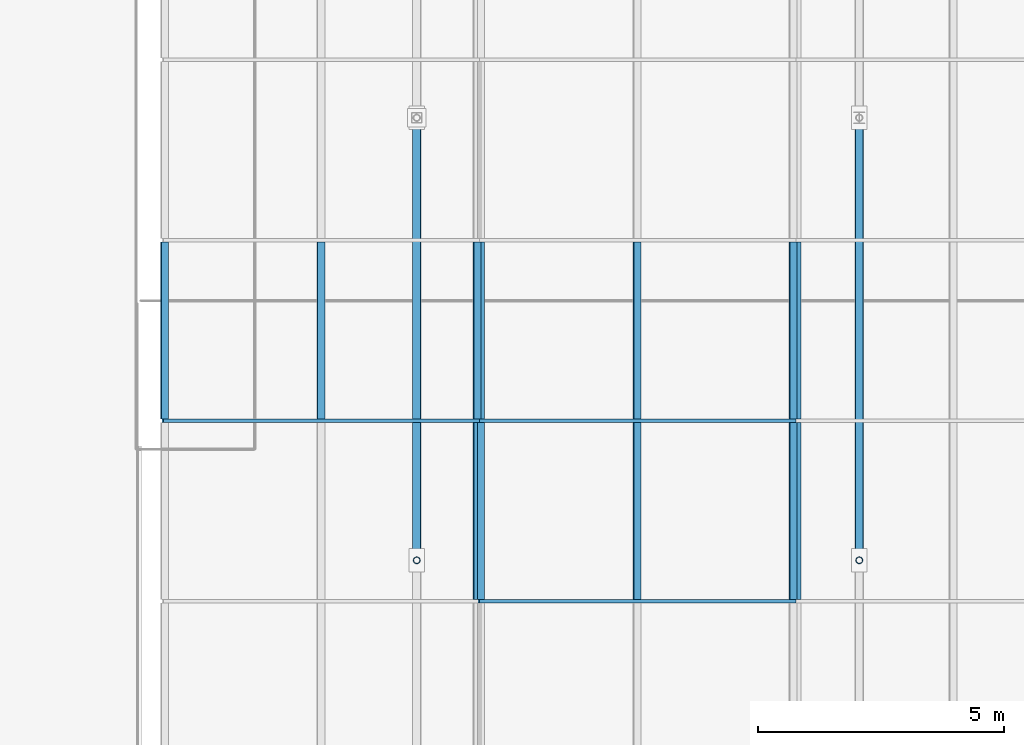
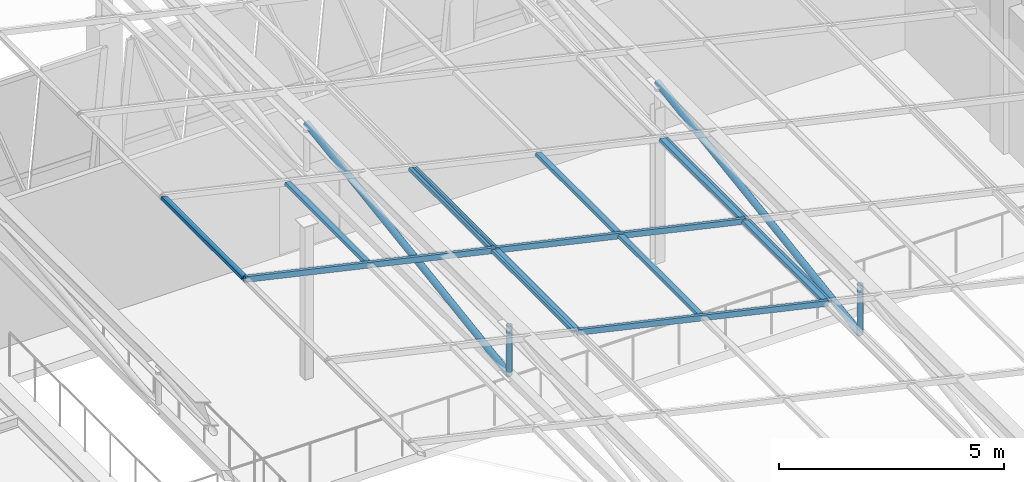
# One storey, part 74 of 130: 19 members, 3 elements without a shape of their own.
"""IFC4 building model written with IfcOpenShell, lengths in metres."""

from ifc_helpers import new_model, si_unit, direction, frame, origin, origin_2d, place, context, subcontext, project, spatial, hollow_rectangle, hollow_circle, extrude, material, material_profile, profile_set, type_object, element, aggregate, save


model = new_model("IFC4")

# Units and contexts
model_context = context("Model", 3, precision=1e-05, world=origin(), true_north=direction((0.0, 1.0)))
body_context = subcontext(model_context, "Body", "Model", "MODEL_VIEW")
ifc_project = project(units=[si_unit("LENGTHUNIT", "METRE"), si_unit("AREAUNIT", "SQUARE_METRE"), si_unit("VOLUMEUNIT", "CUBIC_METRE"), si_unit("PLANEANGLEUNIT", "RADIAN"), si_unit("MASSUNIT", "GRAM", prefix="KILO")], contexts=[model_context])

# Site, building, storey
site_placement = place(None, origin())
site = spatial("IfcSite", under=ifc_project, at=site_placement, CompositionType="ELEMENT")
building_placement = place(site_placement, origin())
building = spatial("IfcBuilding", under=site, at=building_placement, Name="Lykobir Media Centre", CompositionType="ELEMENT")
storey_placement = place(building_placement, frame((0.0, 0.0, 19.199951171875)))
storey = spatial("IfcBuildingStorey", under=building, at=storey_placement, Name="L04", CompositionType="ELEMENT", Elevation=19.199951171875)

# Members
ifc_material_1 = material(Name="Steel S355", Category="steel")
ifc_material_profile_1 = material_profile(ifc_material_1, hollow_circle(Radius=0.06982421875, WallThickness=0.008056640625, at=origin_2d()), Name="CHS 139.7x8.0")
ifc_profile_set_1 = profile_set([ifc_material_profile_1], Name="Steel S355")
member_type_1 = type_object("IfcMemberType", Name="BR-CHS140", PredefinedType="BRACE", material=ifc_profile_set_1)
for number, where, z_axis, x_axis, name in (
    (1, (54.0, 90.0, 6.860107421875), (0.0, 0.0, -1.0), (1.0, 0.0, 0.0), "Diagonal brace MEM2-L04-0540-0900-0261-0540-0900-0465"),
    (2, (63.0, 90.0, 4.820068359375), (0.0, 0.0, -1.0), (1.0, 0.0, 0.0), "Diagonal brace MEM2-L04-0630-0900-0240-0630-0900-0478"),
):
    element("IfcMember", number, at=place(storey_placement, frame(where, z_axis=z_axis, x_axis=x_axis)), inside=storey, type_object=member_type_1, Name=name, PredefinedType="BRACE", context=body_context, shape_type="SweptSolid", body=[
        extrude(hollow_circle(Radius=0.06982421875, WallThickness=0.008056640625, at=origin_2d()), origin(), (0.0, 0.0, 1.0), 1.35009765625),
    ])
ifc_material_profile_2 = material_profile(ifc_material_1, hollow_circle(Radius=0.084228515625, WallThickness=0.010009765625, at=origin_2d()), Name="CHS 168.3x10.0")
ifc_profile_set_2 = profile_set([ifc_material_profile_2], Name="Steel S355")
member_type_2 = type_object("IfcMemberType", Name="BR-CHS168", PredefinedType="BRACE", material=ifc_profile_set_2)
for number, where, z_axis, x_axis, name in (
    (3, (54.0, 90.0, 5.510009765625), (0.0, 0.988934778637, 0.148350947425), (-1.0, 0.0, 0.0), "Diagonal brace MEM2-L04-0540-0900-0247-0540-0990-0466"),
    (4, (63.0, 90.0, 3.469970703125), (0.0, 0.988934778637, 0.148350947425), (-1.0, 0.0, 0.0), "Diagonal brace MEM2-L04-0630-0900-0227-0630-0990-0479"),
):
    element("IfcMember", number, at=place(storey_placement, frame(where, z_axis=z_axis, x_axis=x_axis)), inside=storey, type_object=member_type_2, Name=name, PredefinedType="BRACE", context=body_context, shape_type="SweptSolid", body=[
        extrude(hollow_circle(Radius=0.084228515625, WallThickness=0.010009765625, at=origin_2d()), origin(), (0.0, 0.0, 1.0), 9.1005859375),
    ])

# Curtain wall, members
ifc_material_2 = material(Name="Anodized Aluminium AW-6060", Category="aluminium")
curtain_wall_type = type_object("IfcCurtainWallType", Name="CW-V6-SKY", PredefinedType="NOTDEFINED", material=ifc_material_2)
curtain_wall_1_placement = place(storey_placement, origin())
curtain_wall_1 = element("IfcCurtainWall", 5, at=curtain_wall_1_placement, inside=storey, type_object=curtain_wall_type, Name="Curtain wall CW-V6-SKY03", PredefinedType="NOTDEFINED")
ifc_material_profile_3 = material_profile(ifc_material_2, hollow_rectangle(XDim=0.074951171875, YDim=0.14990234375, WallThickness=0.00341796875, at=origin_2d()), Name="ALU TRANSOM 75x150")
ifc_profile_set_3 = profile_set([ifc_material_profile_3], Name="Anodized Aluminium AW-6060")
member_type_3 = type_object("IfcMemberType", Name="CWT-150", PredefinedType="USERDEFINED", material=ifc_profile_set_3)
member_1_placement = place(storey_placement, frame((61.728515625, 96.472412109375, 5.2646484375), z_axis=(0.0, -1.0, 0.0), x_axis=(0.221054901821, 0.0, 0.975261365164)))
member_1 = element("IfcMember", 6, at=member_1_placement, type_object=member_type_3, Name="CW-V6-SKY03 transom 4.3", ObjectType="TRANSOM", PredefinedType="USERDEFINED", context=body_context, shape_type="SweptSolid", body=[
    extrude(hollow_rectangle(XDim=0.074951171875, YDim=0.14990234375, WallThickness=0.00341796875, at=origin_2d()), origin(), (0.0, 0.0, 1.0), 3.594970703125),
])
member_2_placement = place(storey_placement, frame((61.728515625, 92.802490234375, 5.2646484375), z_axis=(0.0, -1.0, 0.0), x_axis=(0.221054901821, 0.0, 0.975261365164)))
member_2 = element("IfcMember", 7, at=member_2_placement, type_object=member_type_3, Name="CW-V6-SKY03 transom 5.3", ObjectType="TRANSOM", PredefinedType="USERDEFINED", context=body_context, shape_type="SweptSolid", body=[
    extrude(hollow_rectangle(XDim=0.074951171875, YDim=0.14990234375, WallThickness=0.00341796875, at=origin_2d()), origin(), (0.0, 0.0, 1.0), 3.594970703125),
])
aggregate(curtain_wall_1, [member_1, member_2])

curtain_wall_2_placement = place(storey_placement, origin())
curtain_wall_2 = element("IfcCurtainWall", 8, at=curtain_wall_2_placement, inside=storey, type_object=curtain_wall_type, Name="Curtain wall CW-V6-SKY04", PredefinedType="NOTDEFINED")
member_3_placement = place(storey_placement, frame((61.69189453125, 92.840087890625, 5.27294921875), z_axis=(-0.975255318588, 0.0, 0.221081576721), x_axis=(0.0, -1.0, 0.0)))
member_3 = element("IfcMember", 9, at=member_3_placement, type_object=member_type_3, Name="CW-V6-SKY04 rafter transom 5", ObjectType="TRANSOM", PredefinedType="USERDEFINED", context=body_context, shape_type="SweptSolid", body=[
    extrude(hollow_rectangle(XDim=0.074951171875, YDim=0.14990234375, WallThickness=0.00341796875, at=origin_2d()), origin(), (0.0, 0.0, 1.0), 6.591552734375),
])
member_4_placement = place(storey_placement, frame((61.69189453125, 89.169921875, 5.27294921875), z_axis=(-0.975255318588, 0.0, 0.221081576721), x_axis=(0.0, -1.0, 0.0)))
member_4 = element("IfcMember", 10, at=member_4_placement, type_object=member_type_3, Name="CW-V6-SKY04 rafter transom 6", ObjectType="TRANSOM", PredefinedType="USERDEFINED", context=body_context, shape_type="SweptSolid", body=[
    extrude(hollow_rectangle(XDim=0.074951171875, YDim=0.14990234375, WallThickness=0.00341796875, at=origin_2d()), origin(), (0.0, 0.0, 1.0), 6.591552734375),
])
member_5_placement = place(storey_placement, frame((61.655517578125, 96.472412109375, 5.28125), z_axis=(0.0, -1.0, 0.0), x_axis=(0.221071923309, 0.0, 0.975257506879)))
member_5 = element("IfcMember", 11, at=member_5_placement, type_object=member_type_3, Name="CW-V6-SKY04 transom 4.1", ObjectType="TRANSOM", PredefinedType="USERDEFINED", context=body_context, shape_type="SweptSolid", body=[
    extrude(hollow_rectangle(XDim=0.074951171875, YDim=0.14990234375, WallThickness=0.00341796875, at=origin_2d()), origin(), (0.0, 0.0, 1.0), 3.594970703125),
])
member_6_placement = place(storey_placement, frame((58.477783203125, 96.472412109375, 6.00146484375), z_axis=(0.0, -1.0, 0.0), x_axis=(0.221071923309, 0.0, 0.975257506879)))
member_6 = element("IfcMember", 12, at=member_6_placement, type_object=member_type_3, Name="CW-V6-SKY04 transom 4.2", ObjectType="TRANSOM", PredefinedType="USERDEFINED", context=body_context, shape_type="SweptSolid", body=[
    extrude(hollow_rectangle(XDim=0.074951171875, YDim=0.14990234375, WallThickness=0.00341796875, at=origin_2d()), origin(), (0.0, 0.0, 1.0), 3.594970703125),
])
member_7_placement = place(storey_placement, frame((55.300048828125, 96.472412109375, 6.721923828125), z_axis=(0.0, -1.0, 0.0), x_axis=(0.221071923309, 0.0, 0.975257506879)))
member_7 = element("IfcMember", 13, at=member_7_placement, type_object=member_type_3, Name="CW-V6-SKY04 transom 4.3", ObjectType="TRANSOM", PredefinedType="USERDEFINED", context=body_context, shape_type="SweptSolid", body=[
    extrude(hollow_rectangle(XDim=0.074951171875, YDim=0.14990234375, WallThickness=0.00341796875, at=origin_2d()), origin(), (0.0, 0.0, 1.0), 3.594970703125),
])
member_8_placement = place(storey_placement, frame((61.655517578125, 92.802490234375, 5.28125), z_axis=(0.0, -1.0, 0.0), x_axis=(0.221071923309, 0.0, 0.975257506879)))
member_8 = element("IfcMember", 14, at=member_8_placement, type_object=member_type_3, Name="CW-V6-SKY04 transom 5.1", ObjectType="TRANSOM", PredefinedType="USERDEFINED", context=body_context, shape_type="SweptSolid", body=[
    extrude(hollow_rectangle(XDim=0.074951171875, YDim=0.14990234375, WallThickness=0.00341796875, at=origin_2d()), origin(), (0.0, 0.0, 1.0), 3.594970703125),
])
member_9_placement = place(storey_placement, frame((58.477783203125, 92.802490234375, 6.00146484375), z_axis=(0.0, -1.0, 0.0), x_axis=(0.221071923309, 0.0, 0.975257506879)))
member_9 = element("IfcMember", 15, at=member_9_placement, type_object=member_type_3, Name="CW-V6-SKY04 transom 5.2", ObjectType="TRANSOM", PredefinedType="USERDEFINED", context=body_context, shape_type="SweptSolid", body=[
    extrude(hollow_rectangle(XDim=0.074951171875, YDim=0.14990234375, WallThickness=0.00341796875, at=origin_2d()), origin(), (0.0, 0.0, 1.0), 3.594970703125),
])
member_10_placement = place(storey_placement, frame((55.300048828125, 92.802490234375, 6.721923828125), z_axis=(0.0, -1.0, 0.0), x_axis=(0.221071923309, 0.0, 0.975257506879)))
member_10 = element("IfcMember", 16, at=member_10_placement, type_object=member_type_3, Name="CW-V6-SKY04 transom 5.3", ObjectType="TRANSOM", PredefinedType="USERDEFINED", context=body_context, shape_type="SweptSolid", body=[
    extrude(hollow_rectangle(XDim=0.074951171875, YDim=0.14990234375, WallThickness=0.00341796875, at=origin_2d()), origin(), (0.0, 0.0, 1.0), 3.594970703125),
])
aggregate(curtain_wall_2, [member_3, member_4, member_5, member_6, member_7, member_8, member_9, member_10])

curtain_wall_3_placement = place(storey_placement, origin())
curtain_wall_3 = element("IfcCurtainWall", 17, at=curtain_wall_3_placement, inside=storey, type_object=curtain_wall_type, Name="Curtain wall CW-V6-SKY05", PredefinedType="NOTDEFINED")
member_11_placement = place(storey_placement, frame((55.263427734375, 92.840087890625, 6.730224609375), z_axis=(-0.97526330388, 0.0, 0.221046348318), x_axis=(0.0, -1.0, 0.0)))
member_11 = element("IfcMember", 18, at=member_11_placement, type_object=member_type_3, Name="CW-V6-SKY05 rafter transom 5", ObjectType="TRANSOM", PredefinedType="USERDEFINED", context=body_context, shape_type="SweptSolid", body=[
    extrude(hollow_rectangle(XDim=0.074951171875, YDim=0.14990234375, WallThickness=0.00341796875, at=origin_2d()), origin(), (0.0, 0.0, 1.0), 6.591552734375),
])
member_12_placement = place(storey_placement, frame((55.226806640625, 96.472412109375, 6.738525390625), z_axis=(0.0, -1.0, 0.0), x_axis=(0.221054901821, 0.0, 0.975261365164)))
member_12 = element("IfcMember", 19, at=member_12_placement, type_object=member_type_3, Name="CW-V6-SKY05 transom 4.1", ObjectType="TRANSOM", PredefinedType="USERDEFINED", context=body_context, shape_type="SweptSolid", body=[
    extrude(hollow_rectangle(XDim=0.074951171875, YDim=0.14990234375, WallThickness=0.00341796875, at=origin_2d()), origin(), (0.0, 0.0, 1.0), 3.594970703125),
])
member_13_placement = place(storey_placement, frame((52.049072265625, 96.472412109375, 7.458740234375), z_axis=(0.0, -1.0, 0.0), x_axis=(0.221054901821, 0.0, 0.975261365164)))
member_13 = element("IfcMember", 20, at=member_13_placement, type_object=member_type_3, Name="CW-V6-SKY05 transom 4.2", ObjectType="TRANSOM", PredefinedType="USERDEFINED", context=body_context, shape_type="SweptSolid", body=[
    extrude(hollow_rectangle(XDim=0.074951171875, YDim=0.14990234375, WallThickness=0.00341796875, at=origin_2d()), origin(), (0.0, 0.0, 1.0), 3.594970703125),
])
member_14_placement = place(storey_placement, frame((48.871337890625, 96.472412109375, 8.178955078125), z_axis=(0.0, -1.0, 0.0), x_axis=(0.221054901821, 0.0, 0.975261365164)))
member_14 = element("IfcMember", 21, at=member_14_placement, type_object=member_type_3, Name="CW-V6-SKY05 transom 4.3", ObjectType="TRANSOM", PredefinedType="USERDEFINED", context=body_context, shape_type="SweptSolid", body=[
    extrude(hollow_rectangle(XDim=0.074951171875, YDim=0.14990234375, WallThickness=0.00341796875, at=origin_2d()), origin(), (0.0, 0.0, 1.0), 3.594970703125),
])
member_15_placement = place(storey_placement, frame((55.226806640625, 92.802490234375, 6.738525390625), z_axis=(0.0, -1.0, 0.0), x_axis=(0.221054901821, 0.0, 0.975261365164)))
member_15 = element("IfcMember", 22, at=member_15_placement, type_object=member_type_3, Name="CW-V6-SKY05 transom 5.1", ObjectType="TRANSOM", PredefinedType="USERDEFINED", context=body_context, shape_type="SweptSolid", body=[
    extrude(hollow_rectangle(XDim=0.074951171875, YDim=0.14990234375, WallThickness=0.00341796875, at=origin_2d()), origin(), (0.0, 0.0, 1.0), 3.594970703125),
])
aggregate(curtain_wall_3, [member_11, member_12, member_13, member_14, member_15])

save(model, "model.ifc")
